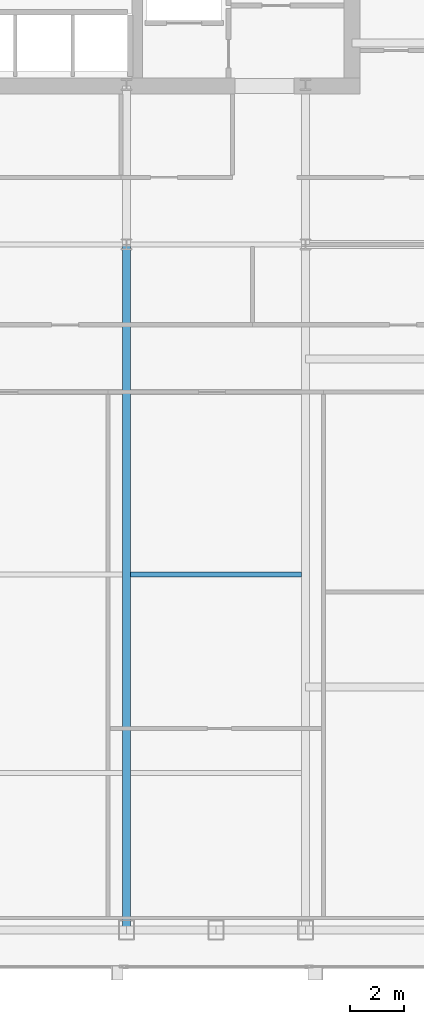
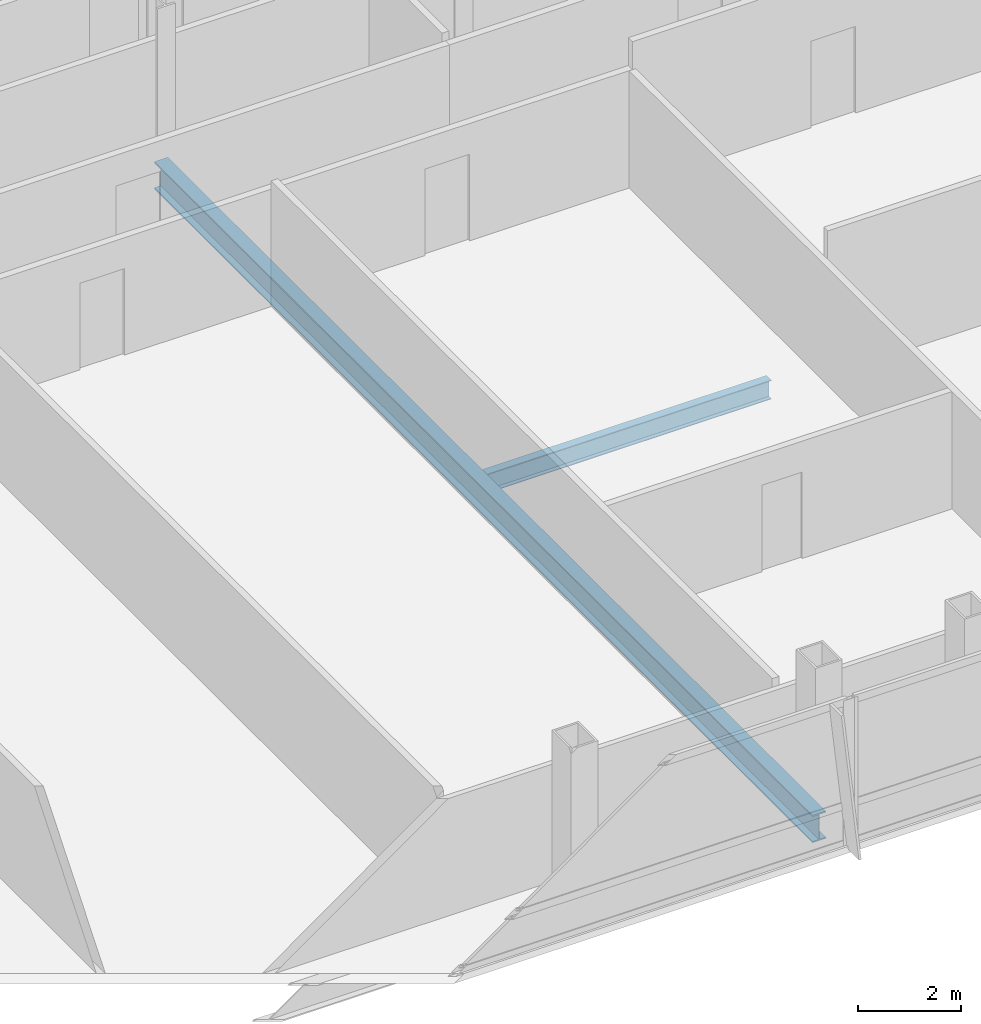
# One storey, part 13 of 30: 2 beams.
"""IFC4 building model written with IfcOpenShell, lengths in metres."""

from ifc_helpers import new_model, si_unit, direction, frame, origin, origin_2d, place, context, subcontext, project, spatial, i_section, extrude, material, material_profile, profile_set, type_object, element, save


model = new_model("IFC4")

# Units and contexts
model_context = context("Model", 3, precision=1e-05, world=origin(), true_north=direction((0.0, 1.0)))
body_context = subcontext(model_context, "Body", "Model", "MODEL_VIEW")
ifc_project = project(units=[si_unit("LENGTHUNIT", "METRE"), si_unit("AREAUNIT", "SQUARE_METRE"), si_unit("VOLUMEUNIT", "CUBIC_METRE"), si_unit("PLANEANGLEUNIT", "RADIAN"), si_unit("MASSUNIT", "GRAM", prefix="KILO")], contexts=[model_context])

# Site, building, storey
site_placement = place(None, origin())
site = spatial("IfcSite", under=ifc_project, at=site_placement, CompositionType="ELEMENT")
building_placement = place(site_placement, origin())
building = spatial("IfcBuilding", under=site, at=building_placement, Name="Khoronbel Lancet Exchange", CompositionType="ELEMENT")
storey_placement = place(building_placement, frame((0.0, 0.0, 224.60009765625)))
storey = spatial("IfcBuildingStorey", under=building, at=storey_placement, Name="L57", CompositionType="ELEMENT", Elevation=224.60009765625)

# Beams
ifc_material = material(Name="Steel S355", Category="steel")
ifc_material_profile_1 = material_profile(ifc_material, i_section(OverallWidth=0.300048828125, OverallDepth=0.64990234375, WebThickness=0.01611328125, FlangeThickness=0.031005859375, at=origin_2d()), Name="HEB 650")
ifc_profile_set_1 = profile_set([ifc_material_profile_1], Name="Steel S355")
beam_type_1 = type_object("IfcBeamType", Name="BM-BG4", PredefinedType="BEAM", material=ifc_profile_set_1)
beam_1_placement = place(storey_placement, frame((48.0, 10.14990234375, -0.485107421875), z_axis=(0.0, 1.0, 0.0), x_axis=(-1.0, 0.0, 0.0)))
element("IfcBeam", 1, at=beam_1_placement, inside=storey, type_object=beam_type_1, Name="Level L57 south primary girder GS5", PredefinedType="BEAM", context=body_context, shape_type="SweptSolid", body=[
    extrude(i_section(OverallWidth=0.300048828125, OverallDepth=0.64990234375, WebThickness=0.01611328125, FlangeThickness=0.031005859375, at=origin_2d()), origin(), (0.0, 0.0, 1.0), 25.550048828125),
])
ifc_material_profile_2 = material_profile(ifc_material, i_section(OverallWidth=0.18994140625, OverallDepth=0.449951171875, WebThickness=0.009521484375, FlangeThickness=0.0146484375, at=origin_2d()), Name="IPE 450")
ifc_profile_set_2 = profile_set([ifc_material_profile_2], Name="Steel S355")
beam_type_2 = type_object("IfcBeamType", Name="BM-BJ4", PredefinedType="JOIST", material=ifc_profile_set_2)
beam_2_placement = place(storey_placement, frame((48.14990234375, 23.39990234375, -0.385009765625), z_axis=(1.0, 0.0, 0.0), x_axis=(0.0, 1.0, 0.0)))
element("IfcBeam", 2, at=beam_2_placement, inside=storey, type_object=beam_type_2, Name="Level L57 secondary composite joist J10", PredefinedType="JOIST", context=body_context, shape_type="SweptSolid", body=[
    extrude(i_section(OverallWidth=0.18994140625, OverallDepth=0.449951171875, WebThickness=0.009521484375, FlangeThickness=0.0146484375, at=origin_2d()), origin(), (0.0, 0.0, 1.0), 6.375),
])

save(model, "model.ifc")
